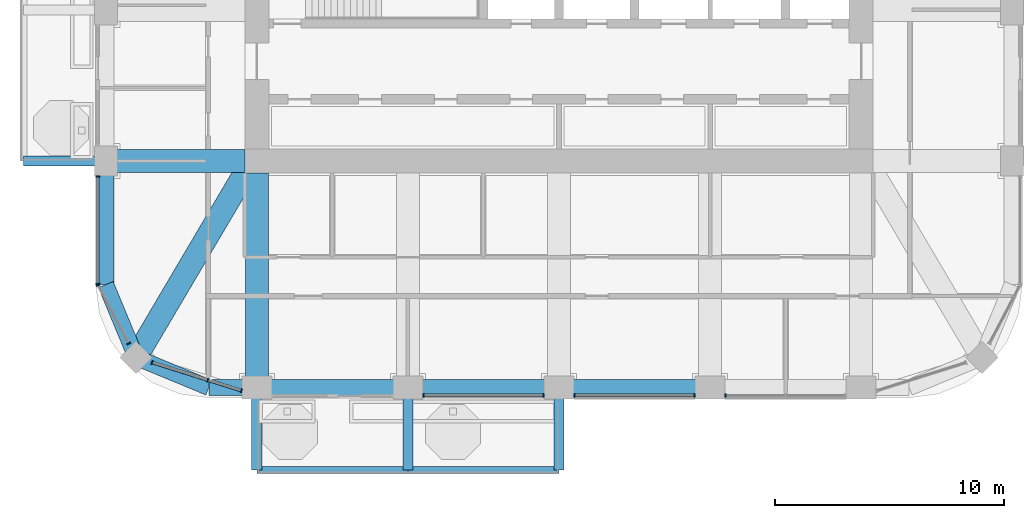
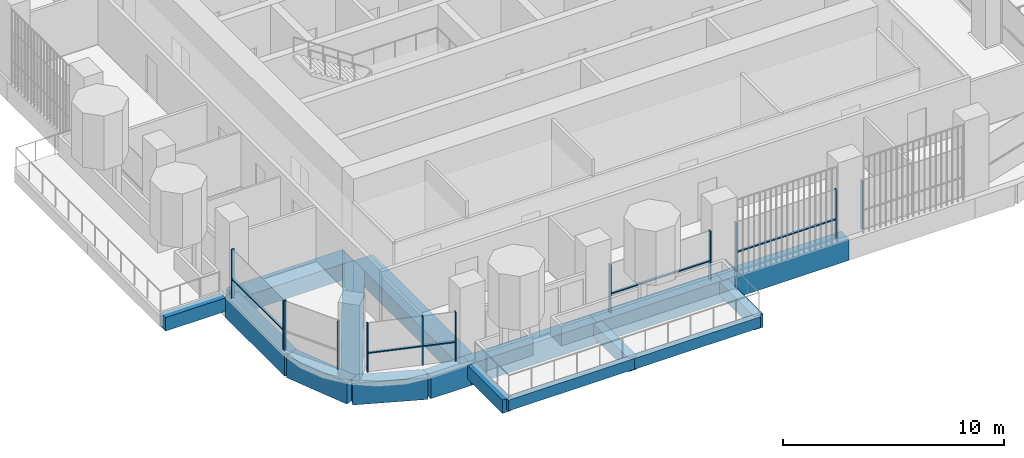
# One storey, part 2 of 20: 17 members, 16 beams, 6 elements without a shape of their own.
"""IFC4 building model written with IfcOpenShell, lengths in metres."""

from ifc_helpers import new_model, si_unit, direction, frame, origin, origin_2d, place, context, subcontext, project, spatial, rectangle, extrude, material, material_profile, profile_set, type_object, element, aggregate, save


model = new_model("IFC4")

# Units and contexts
model_context = context("Model", 3, precision=1e-05, world=origin(), true_north=direction((0.0, 1.0)))
body_context = subcontext(model_context, "Body", "Model", "MODEL_VIEW")
ifc_project = project(units=[si_unit("LENGTHUNIT", "METRE"), si_unit("AREAUNIT", "SQUARE_METRE"), si_unit("VOLUMEUNIT", "CUBIC_METRE"), si_unit("PLANEANGLEUNIT", "RADIAN"), si_unit("MASSUNIT", "GRAM", prefix="KILO")], contexts=[model_context])

# Site, building, storey
site_placement = place(None, origin())
site = spatial("IfcSite", under=ifc_project, at=site_placement, CompositionType="ELEMENT")
building_placement = place(site_placement, origin())
building = spatial("IfcBuilding", under=site, at=building_placement, Name="Cobogo Forest Laboratory Tower", CompositionType="ELEMENT")
storey_placement = place(building_placement, frame((0.0, 0.0, 246.0)))
storey = spatial("IfcBuildingStorey", under=building, at=storey_placement, Name="L56", CompositionType="ELEMENT", Elevation=246.0)

# Beams
ifc_material_1 = material(Name="Concrete HA-40 (C40/50)", Category="concrete")
ifc_material_profile_1 = material_profile(ifc_material_1, rectangle(XDim=0.449951171875, YDim=0.75, at=origin_2d()), Name="RC 450x750")
ifc_profile_set_1 = profile_set([ifc_material_profile_1], Name="Concrete HA-40 (C40/50)")
beam_type_1 = type_object("IfcBeamType", Name="Balcony cantilever beam 450x750", PredefinedType="BEAM", material=ifc_profile_set_1)
for number, where, z_axis, x_axis, name in (
    (1, (13.199951171875, 2.85009765625, -0.625), (0.0, -1.0, 0.0), (1.0, 0.0, 0.0), "CB1 BAL-S1-C1 L56"),
    (2, (19.800048828125, 2.85009765625, -0.625), (0.0, -1.0, 0.0), (1.0, 0.0, 0.0), "CB1 BAL-S1-C2 L56"),
    (3, (26.39990234375, 2.85009765625, -0.625), (0.0, -1.0, 0.0), (1.0, 0.0, 0.0), "CB1 BAL-S1-C3 L56"),
):
    element("IfcBeam", number, at=place(storey_placement, frame(where, z_axis=z_axis, x_axis=x_axis)), inside=storey, type_object=beam_type_1, Name=name, PredefinedType="BEAM", context=body_context, shape_type="SweptSolid", body=[
        extrude(rectangle(XDim=0.449951171875, YDim=0.75, at=origin_2d()), origin(), (0.0, 0.0, 1.0), 3.150146484375),
    ])
beam_1_placement = place(storey_placement, frame((6.14990234375, 13.199951171875, -0.625), z_axis=(-1.0, 0.0, 0.0), x_axis=(0.0, -1.0, 0.0)))
element("IfcBeam", 4, at=beam_1_placement, inside=storey, type_object=beam_type_1, Name="CB1 BAL-W1-C1 L56", PredefinedType="BEAM", context=body_context, shape_type="SweptSolid", body=[
    extrude(rectangle(XDim=0.449951171875, YDim=0.75, at=origin_2d()), origin(), (0.0, 0.0, 1.0), 3.14990234375),
])
ifc_material_profile_2 = material_profile(ifc_material_1, rectangle(XDim=0.300048828125, YDim=0.60009765625, at=origin_2d()), Name="RC 300x600")
ifc_profile_set_2 = profile_set([ifc_material_profile_2], Name="Concrete HA-40 (C40/50)")
beam_type_2 = type_object("IfcBeamType", Name="Balcony edge beam 300x600", PredefinedType="BEAM", material=ifc_profile_set_2)
beam_2_placement = place(storey_placement, frame((13.199951171875, -0.300048828125, -0.550048828125), z_axis=(1.0, 0.0, 0.0), x_axis=(0.0, 1.0, 0.0)))
element("IfcBeam", 5, at=beam_2_placement, inside=storey, type_object=beam_type_2, Name="BB1 BAL-S1-T1 L56", PredefinedType="BEAM", context=body_context, shape_type="SweptSolid", body=[
    extrude(rectangle(XDim=0.300048828125, YDim=0.60009765625, at=origin_2d()), origin(), (0.0, 0.0, 1.0), 6.60009765625),
])
beam_3_placement = place(storey_placement, frame((19.800048828125, -0.300048828125, -0.550048828125), z_axis=(1.0, 0.0, 0.0), x_axis=(0.0, 1.0, 0.0)))
element("IfcBeam", 6, at=beam_3_placement, inside=storey, type_object=beam_type_2, Name="BB1 BAL-S1-T2 L56", PredefinedType="BEAM", context=body_context, shape_type="SweptSolid", body=[
    extrude(rectangle(XDim=0.300048828125, YDim=0.60009765625, at=origin_2d()), origin(), (0.0, 0.0, 1.0), 6.599853515625),
])

# Curtain wall, members
ifc_material_2 = material(Name="Aluminium curtain wall", Category="aluminium")
curtain_wall_type = type_object("IfcCurtainWallType", Name="CW-2 unitised curtain wall, solar control glazing, laboratory floors zones C and D", PredefinedType="USERDEFINED", material=ifc_material_2)
curtain_wall_1_placement = place(storey_placement, origin())
curtain_wall_1 = element("IfcCurtainWall", 7, at=curtain_wall_1_placement, inside=storey, type_object=curtain_wall_type, Name="Curtain wall 02 L56", ObjectType="UNITISED CURTAIN WALL", PredefinedType="USERDEFINED")
ifc_material_3 = material(Name="Aluminium mullion", Category="aluminium")
ifc_material_profile_3 = material_profile(ifc_material_3, rectangle(XDim=0.06005859375, YDim=0.159912109375, at=origin_2d()), Name="AL 60x160")
ifc_profile_set_3 = profile_set([ifc_material_profile_3], Name="Aluminium mullion")
member_type_1 = type_object("IfcMemberType", Name="MU-1 aluminium mullion 60x160", PredefinedType="MULLION", material=ifc_profile_set_3)
member_1_placement = place(storey_placement, frame((20.47998046875, 2.949951171875, 0.0), z_axis=(0.0, 0.0, 1.0), x_axis=(1.0, 0.0, 0.0)))
member_1 = element("IfcMember", 8, at=member_1_placement, type_object=member_type_1, Name="CW-2 mullion 1", PredefinedType="MULLION", context=body_context, shape_type="SweptSolid", body=[
    extrude(rectangle(XDim=0.06005859375, YDim=0.159912109375, at=origin_2d()), origin(), (0.0, 0.0, 1.0), 2.699951171875),
])
member_2_placement = place(storey_placement, frame((25.719970703125, 2.949951171875, 0.0), z_axis=(0.0, 0.0, 1.0), x_axis=(1.0, 0.0, 0.0)))
member_2 = element("IfcMember", 9, at=member_2_placement, type_object=member_type_1, Name="CW-2 mullion 2", PredefinedType="MULLION", context=body_context, shape_type="SweptSolid", body=[
    extrude(rectangle(XDim=0.06005859375, YDim=0.159912109375, at=origin_2d()), origin(), (0.0, 0.0, 1.0), 2.699951171875),
])

curtain_wall_2_placement = place(storey_placement, origin())
curtain_wall_2 = element("IfcCurtainWall", 10, at=curtain_wall_2_placement, inside=storey, type_object=curtain_wall_type, Name="Curtain wall 03 L56", ObjectType="UNITISED CURTAIN WALL", PredefinedType="USERDEFINED")
member_3_placement = place(storey_placement, frame((27.080078125, 2.949951171875, 0.0), z_axis=(0.0, 0.0, 1.0), x_axis=(1.0, 0.0, 0.0)))
member_3 = element("IfcMember", 11, at=member_3_placement, type_object=member_type_1, Name="CW-2 mullion 1", PredefinedType="MULLION", context=body_context, shape_type="SweptSolid", body=[
    extrude(rectangle(XDim=0.06005859375, YDim=0.159912109375, at=origin_2d()), origin(), (0.0, 0.0, 1.0), 2.699951171875),
])
member_4_placement = place(storey_placement, frame((32.320068359375, 2.949951171875, 0.0), z_axis=(0.0, 0.0, 1.0), x_axis=(1.0, 0.0, 0.0)))
member_4 = element("IfcMember", 12, at=member_4_placement, type_object=member_type_1, Name="CW-2 mullion 2", PredefinedType="MULLION", context=body_context, shape_type="SweptSolid", body=[
    extrude(rectangle(XDim=0.06005859375, YDim=0.159912109375, at=origin_2d()), origin(), (0.0, 0.0, 1.0), 2.699951171875),
])

# Curtain wall, member
curtain_wall_3_placement = place(storey_placement, origin())
curtain_wall_3 = element("IfcCurtainWall", 13, at=curtain_wall_3_placement, inside=storey, type_object=curtain_wall_type, Name="Curtain wall 04 L56", ObjectType="UNITISED CURTAIN WALL", PredefinedType="USERDEFINED")
member_5_placement = place(storey_placement, frame((33.679931640625, 2.949951171875, 0.0), z_axis=(0.0, 0.0, 1.0), x_axis=(1.0, 0.0, 0.0)))
member_5 = element("IfcMember", 14, at=member_5_placement, type_object=member_type_1, Name="CW-2 mullion 1", PredefinedType="MULLION", context=body_context, shape_type="SweptSolid", body=[
    extrude(rectangle(XDim=0.06005859375, YDim=0.159912109375, at=origin_2d()), origin(), (0.0, 0.0, 1.0), 2.699951171875),
])
aggregate(curtain_wall_3, [member_5])

# Curtain wall, members
curtain_wall_4_placement = place(storey_placement, origin())
curtain_wall_4 = element("IfcCurtainWall", 15, at=curtain_wall_4_placement, inside=storey, type_object=curtain_wall_type, Name="Curtain wall 24 L56", ObjectType="UNITISED CURTAIN WALL", PredefinedType="USERDEFINED")
member_6_placement = place(storey_placement, frame((6.25, 12.52001953125, 0.0), z_axis=(0.0, 0.0, 1.0), x_axis=(0.0, -1.0, 0.0)))
member_6 = element("IfcMember", 16, at=member_6_placement, type_object=member_type_1, Name="CW-2 mullion 1", PredefinedType="MULLION", context=body_context, shape_type="SweptSolid", body=[
    extrude(rectangle(XDim=0.06005859375, YDim=0.159912109375, at=origin_2d()), origin(), (0.0, 0.0, 1.0), 2.699951171875),
])
member_7_placement = place(storey_placement, frame((6.25, 7.830078125, 0.0), z_axis=(0.0, 0.0, 1.0), x_axis=(0.0, -1.0, 0.0)))
member_7 = element("IfcMember", 17, at=member_7_placement, type_object=member_type_1, Name="CW-2 mullion 2", PredefinedType="MULLION", context=body_context, shape_type="SweptSolid", body=[
    extrude(rectangle(XDim=0.06005859375, YDim=0.159912109375, at=origin_2d()), origin(), (0.0, 0.0, 1.0), 2.699951171875),
])

curtain_wall_5_placement = place(storey_placement, origin())
curtain_wall_5 = element("IfcCurtainWall", 18, at=curtain_wall_5_placement, inside=storey, type_object=curtain_wall_type, Name="Curtain wall 25 L56", ObjectType="UNITISED CURTAIN WALL", PredefinedType="USERDEFINED")
member_8_placement = place(storey_placement, frame((6.263916015625, 7.7734375, 0.0), z_axis=(0.0, 0.0, 1.0), x_axis=(0.464283791352, -0.885686491422, 0.0)))
member_8 = element("IfcMember", 19, at=member_8_placement, type_object=member_type_1, Name="CW-2 mullion 1", PredefinedType="MULLION", context=body_context, shape_type="SweptSolid", body=[
    extrude(rectangle(XDim=0.06005859375, YDim=0.159912109375, at=origin_2d()), origin(), (0.0, 0.0, 1.0), 2.699951171875),
])
member_9_placement = place(storey_placement, frame((7.59765625, 5.229248046875, 0.0), z_axis=(0.0, 0.0, 1.0), x_axis=(0.464283791352, -0.885686491422, 0.0)))
member_9 = element("IfcMember", 20, at=member_9_placement, type_object=member_type_1, Name="CW-2 mullion 2", PredefinedType="MULLION", context=body_context, shape_type="SweptSolid", body=[
    extrude(rectangle(XDim=0.06005859375, YDim=0.159912109375, at=origin_2d()), origin(), (0.0, 0.0, 1.0), 2.699951171875),
])
aggregate(curtain_wall_5, [member_8, member_9])

curtain_wall_6_placement = place(storey_placement, origin())
curtain_wall_6 = element("IfcCurtainWall", 21, at=curtain_wall_6_placement, inside=storey, type_object=curtain_wall_type, Name="Curtain wall 26 L56", ObjectType="UNITISED CURTAIN WALL", PredefinedType="USERDEFINED")
member_10_placement = place(storey_placement, frame((8.623779296875, 4.395263671875, 0.0), z_axis=(0.0, 0.0, 1.0), x_axis=(0.953581386052, -0.301135418334, 0.0)))
member_10 = element("IfcMember", 22, at=member_10_placement, type_object=member_type_1, Name="CW-2 mullion 1", PredefinedType="MULLION", context=body_context, shape_type="SweptSolid", body=[
    extrude(rectangle(XDim=0.06005859375, YDim=0.159912109375, at=origin_2d()), origin(), (0.0, 0.0, 1.0), 2.699951171875),
])
member_11_placement = place(storey_placement, frame((11.051025390625, 3.628662109375, 0.0), z_axis=(0.0, 0.0, 1.0), x_axis=(0.953581386052, -0.301135418334, 0.0)))
member_11 = element("IfcMember", 23, at=member_11_placement, type_object=member_type_1, Name="CW-2 mullion 2", PredefinedType="MULLION", context=body_context, shape_type="SweptSolid", body=[
    extrude(rectangle(XDim=0.06005859375, YDim=0.159912109375, at=origin_2d()), origin(), (0.0, 0.0, 1.0), 2.699951171875),
])
member_12_placement = place(storey_placement, frame((12.521484375, 3.164306640625, 0.0), z_axis=(0.0, 0.0, 1.0), x_axis=(0.953581386052, -0.301135418334, 0.0)))
member_12 = element("IfcMember", 24, at=member_12_placement, type_object=member_type_1, Name="CW-2 mullion 3", PredefinedType="MULLION", context=body_context, shape_type="SweptSolid", body=[
    extrude(rectangle(XDim=0.06005859375, YDim=0.159912109375, at=origin_2d()), origin(), (0.0, 0.0, 1.0), 2.699951171875),
])

# Beams
ifc_material_profile_4 = material_profile(ifc_material_1, rectangle(XDim=1.0, YDim=0.89990234375, at=origin_2d()), Name="RC 1000x900")
ifc_profile_set_4 = profile_set([ifc_material_profile_4], Name="Concrete HA-40 (C40/50)")
beam_type_3 = type_object("IfcBeamType", Name="Office floor wide beam 1000x900", PredefinedType="BEAM", material=ifc_profile_set_4)
beam_4_placement = place(storey_placement, frame((13.199951171875, 12.675048828125, -0.75), z_axis=(0.0, -1.0, 0.0), x_axis=(1.0, 0.0, 0.0)))
element("IfcBeam", 25, at=beam_4_placement, inside=storey, type_object=beam_type_3, Name="RB2 R-3-S L56", PredefinedType="BEAM", context=body_context, shape_type="SweptSolid", body=[
    extrude(rectangle(XDim=1.0, YDim=0.89990234375, at=origin_2d()), origin(), (0.0, 0.0, 1.0), 9.375),
])
beam_5_placement = place(storey_placement, frame((12.675048828125, 13.199951171875, -0.75), z_axis=(-1.0, 0.0, 0.0), x_axis=(0.0, -1.0, 0.0)))
element("IfcBeam", 26, at=beam_5_placement, inside=storey, type_object=beam_type_3, Name="RB2 R-C-W L56", PredefinedType="BEAM", context=body_context, shape_type="SweptSolid", body=[
    extrude(rectangle(XDim=1.0, YDim=0.89990234375, at=origin_2d()), origin(), (0.0, 0.0, 1.0), 6.074951171875),
])
beam_6_placement = place(storey_placement, frame((7.91796875, 4.617919921875, -0.75), z_axis=(0.508416325908, 0.861111397875, 0.0), x_axis=(-0.861111397875, 0.508416325908, 0.0)))
element("IfcBeam", 27, at=beam_6_placement, inside=storey, type_object=beam_type_3, Name="RB2 G-SW-D1 L56", PredefinedType="BEAM", context=body_context, shape_type="SweptSolid", body=[
    extrude(rectangle(XDim=1.0, YDim=0.89990234375, at=origin_2d()), origin(), (0.0, 0.0, 1.0), 9.356689453125),
])
ifc_material_profile_5 = material_profile(ifc_material_1, rectangle(XDim=0.699951171875, YDim=1.199951171875, at=origin_2d()), Name="RC 700x1200")
ifc_profile_set_5 = profile_set([ifc_material_profile_5], Name="Concrete HA-40 (C40/50)")
beam_type_4 = type_object("IfcBeamType", Name="Perimeter edge beam 700x1200", PredefinedType="BEAM", material=ifc_profile_set_5)
beam_7_placement = place(storey_placement, frame((13.199951171875, 3.300048828125, -0.89990234375), z_axis=(1.0, 0.0, 0.0), x_axis=(0.0, 1.0, 0.0)))
element("IfcBeam", 28, at=beam_7_placement, inside=storey, type_object=beam_type_4, Name="EB1 E-S1 L56", PredefinedType="BEAM", context=body_context, shape_type="SweptSolid", body=[
    extrude(rectangle(XDim=0.699951171875, YDim=1.199951171875, at=origin_2d()), origin(), (0.0, 0.0, 1.0), 6.60009765625),
])
beam_8_placement = place(storey_placement, frame((19.800048828125, 3.300048828125, -0.89990234375), z_axis=(1.0, 0.0, 0.0), x_axis=(0.0, 1.0, 0.0)))
element("IfcBeam", 29, at=beam_8_placement, inside=storey, type_object=beam_type_4, Name="EB1 E-S2 L56", PredefinedType="BEAM", context=body_context, shape_type="SweptSolid", body=[
    extrude(rectangle(XDim=0.699951171875, YDim=1.199951171875, at=origin_2d()), origin(), (0.0, 0.0, 1.0), 6.599853515625),
])
beam_9_placement = place(storey_placement, frame((26.39990234375, 3.300048828125, -0.89990234375), z_axis=(1.0, 0.0, 0.0), x_axis=(0.0, 1.0, 0.0)))
element("IfcBeam", 30, at=beam_9_placement, inside=storey, type_object=beam_type_4, Name="EB1 E-S3 L56", PredefinedType="BEAM", context=body_context, shape_type="SweptSolid", body=[
    extrude(rectangle(XDim=0.699951171875, YDim=1.199951171875, at=origin_2d()), origin(), (0.0, 0.0, 1.0), 6.60009765625),
])
beam_10_placement = place(storey_placement, frame((13.199951171875, 3.300048828125, -0.89990234375), z_axis=(-1.0, 0.0, 0.0), x_axis=(0.0, -1.0, 0.0)))
element("IfcBeam", 31, at=beam_10_placement, inside=storey, type_object=beam_type_4, Name="EB1 E-SWS1 L56", PredefinedType="BEAM", context=body_context, shape_type="SweptSolid", body=[
    extrude(rectangle(XDim=0.699951171875, YDim=1.199951171875, at=origin_2d()), origin(), (0.0, 0.0, 1.0), 2.099853515625),
])
beam_11_placement = place(storey_placement, frame((11.10009765625, 3.300048828125, -0.89990234375), z_axis=(-0.923901072997, 0.382631424892, 0.0), x_axis=(-0.382631424892, -0.923901072997, 0.0)))
element("IfcBeam", 32, at=beam_11_placement, inside=storey, type_object=beam_type_4, Name="EB1 E-SWS2 L56", PredefinedType="BEAM", context=body_context, shape_type="SweptSolid", body=[
    extrude(rectangle(XDim=0.699951171875, YDim=1.199951171875, at=origin_2d()), origin(), (0.0, 0.0, 1.0), 3.4443359375),
])
beam_12_placement = place(storey_placement, frame((6.60009765625, 13.199951171875, -0.89990234375), z_axis=(0.0, -1.0, 0.0), x_axis=(1.0, 0.0, 0.0)))
element("IfcBeam", 33, at=beam_12_placement, inside=storey, type_object=beam_type_4, Name="EB1 E-SWW1 L56", PredefinedType="BEAM", context=body_context, shape_type="SweptSolid", body=[
    extrude(rectangle(XDim=0.699951171875, YDim=1.199951171875, at=origin_2d()), origin(), (0.0, 0.0, 1.0), 5.39990234375),
])
beam_13_placement = place(storey_placement, frame((6.60009765625, 7.800048828125, -0.89990234375), z_axis=(0.382631424892, -0.923901072997, 0.0), x_axis=(0.923901072997, 0.382631424892, 0.0)))
element("IfcBeam", 34, at=beam_13_placement, inside=storey, type_object=beam_type_4, Name="EB1 E-SWW2 L56", PredefinedType="BEAM", context=body_context, shape_type="SweptSolid", body=[
    extrude(rectangle(XDim=0.699951171875, YDim=1.199951171875, at=origin_2d()), origin(), (0.0, 0.0, 1.0), 3.4443359375),
])

# Member
ifc_material_4 = material(Name="Aluminium transom", Category="aluminium")
ifc_material_profile_6 = material_profile(ifc_material_4, rectangle(XDim=0.1201171875, YDim=0.06005859375, at=origin_2d()), Name="AL 60x120")
ifc_profile_set_6 = profile_set([ifc_material_profile_6], Name="Aluminium transom")
member_type_2 = type_object("IfcMemberType", Name="TR-1 aluminium transom 60x120", PredefinedType="USERDEFINED", material=ifc_profile_set_6)
member_13_placement = place(storey_placement, frame((20.510009765625, 2.949951171875, 1.050048828125), z_axis=(1.0, 0.0, 0.0), x_axis=(0.0, 1.0, 0.0)))
member_13 = element("IfcMember", 35, at=member_13_placement, type_object=member_type_2, Name="CW-2 transom 1.1", ObjectType="TRANSOM", PredefinedType="USERDEFINED", context=body_context, shape_type="SweptSolid", body=[
    extrude(rectangle(XDim=0.1201171875, YDim=0.06005859375, at=origin_2d()), origin(), (0.0, 0.0, 1.0), 5.179931640625),
])

aggregate(curtain_wall_1, [member_1, member_2, member_13])

member_14_placement = place(storey_placement, frame((27.110107421875, 2.949951171875, 1.050048828125), z_axis=(1.0, 0.0, 0.0), x_axis=(0.0, 1.0, 0.0)))
member_14 = element("IfcMember", 36, at=member_14_placement, type_object=member_type_2, Name="CW-2 transom 1.1", ObjectType="TRANSOM", PredefinedType="USERDEFINED", context=body_context, shape_type="SweptSolid", body=[
    extrude(rectangle(XDim=0.1201171875, YDim=0.06005859375, at=origin_2d()), origin(), (0.0, 0.0, 1.0), 5.179931640625),
])

aggregate(curtain_wall_2, [member_3, member_4, member_14])

member_15_placement = place(storey_placement, frame((6.25, 12.489990234375, 1.050048828125), z_axis=(0.0, -1.0, 0.0), x_axis=(1.0, 0.0, 0.0)))
member_15 = element("IfcMember", 37, at=member_15_placement, type_object=member_type_2, Name="CW-2 transom 1.1", ObjectType="TRANSOM", PredefinedType="USERDEFINED", context=body_context, shape_type="SweptSolid", body=[
    extrude(rectangle(XDim=0.1201171875, YDim=0.06005859375, at=origin_2d()), origin(), (0.0, 0.0, 1.0), 4.6298828125),
])

aggregate(curtain_wall_4, [member_6, member_7, member_15])

member_16_placement = place(storey_placement, frame((8.65234375, 4.38623046875, 1.050048828125), z_axis=(0.953564847589, -0.301187784352, 0.0), x_axis=(0.301187784352, 0.953564847589, 0.0)))
member_16 = element("IfcMember", 38, at=member_16_placement, type_object=member_type_2, Name="CW-2 transom 1.1", ObjectType="TRANSOM", PredefinedType="USERDEFINED", context=body_context, shape_type="SweptSolid", body=[
    extrude(rectangle(XDim=0.1201171875, YDim=0.06005859375, at=origin_2d()), origin(), (0.0, 0.0, 1.0), 2.4853515625),
])

member_17_placement = place(storey_placement, frame((11.07958984375, 3.61962890625, 1.050048828125), z_axis=(0.953572704918, -0.301162906805, 0.0), x_axis=(0.301162906805, 0.953572704918, 0.0)))
member_17 = element("IfcMember", 39, at=member_17_placement, type_object=member_type_2, Name="CW-2 transom 2.1", ObjectType="TRANSOM", PredefinedType="USERDEFINED", context=body_context, shape_type="SweptSolid", body=[
    extrude(rectangle(XDim=0.1201171875, YDim=0.06005859375, at=origin_2d()), origin(), (0.0, 0.0, 1.0), 1.48193359375),
])

aggregate(curtain_wall_6, [member_10, member_11, member_12, member_16, member_17])

save(model, "model.ifc")
